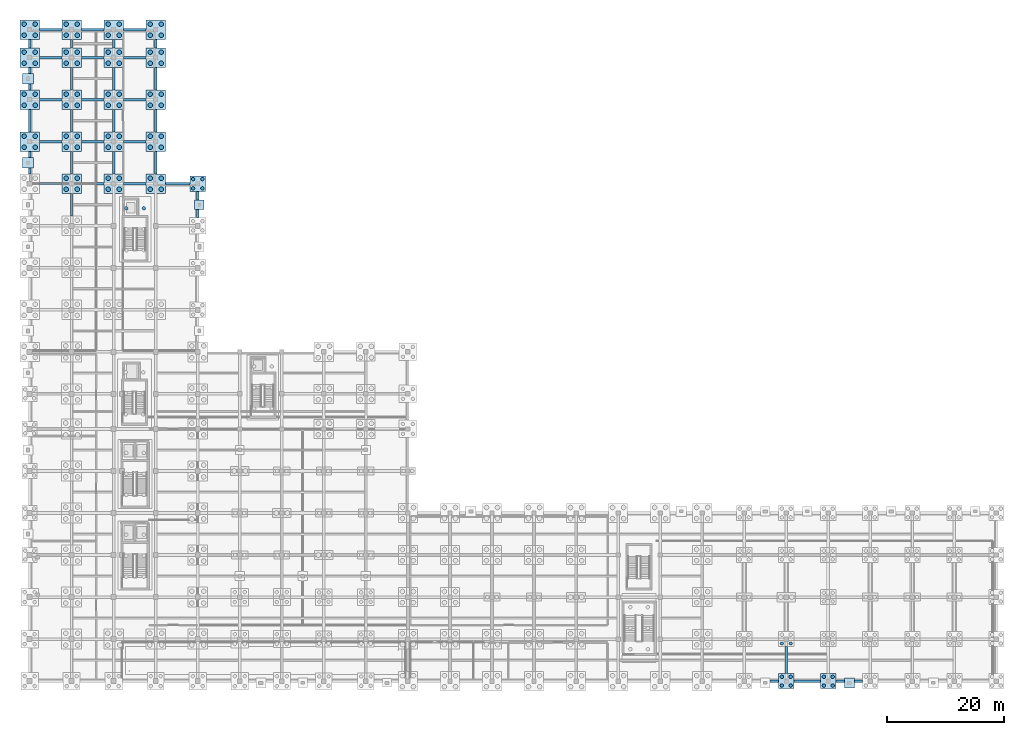
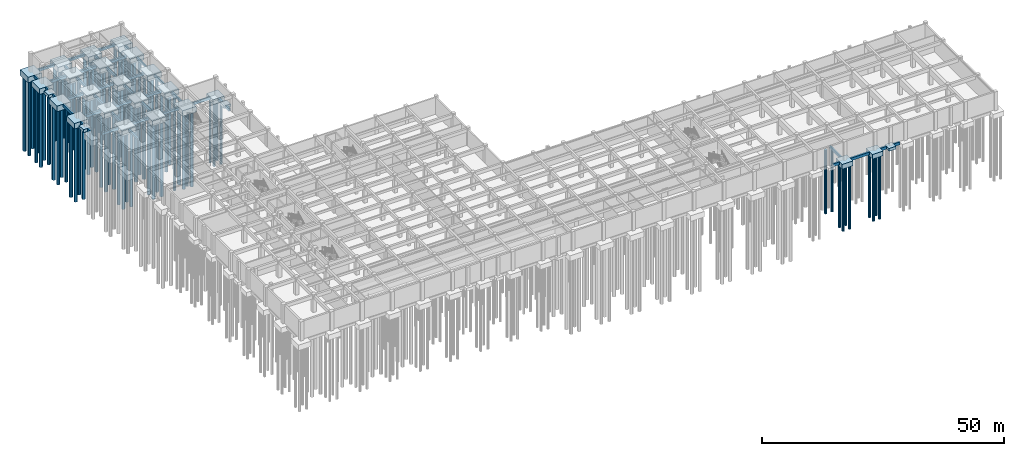
# One storey, part 7 of 28: 92 piles, 68 footings.
"""IFC4 building model written with IfcOpenShell, lengths in metres."""

from ifc_helpers import new_model, si_unit, direction, frame, origin, origin_2d, place, context, subcontext, project, spatial, rectangle, circle, extrude, material, material_profile, profile_set, type_object, element, save


model = new_model("IFC4")

# Units and contexts
model_context = context("Model", 3, precision=1e-05, world=origin(), true_north=direction((0.0, 1.0)))
body_context = subcontext(model_context, "Body", "Model", "MODEL_VIEW")
ifc_project = project(units=[si_unit("LENGTHUNIT", "METRE"), si_unit("AREAUNIT", "SQUARE_METRE"), si_unit("VOLUMEUNIT", "CUBIC_METRE"), si_unit("PLANEANGLEUNIT", "RADIAN"), si_unit("MASSUNIT", "GRAM", prefix="KILO")], contexts=[model_context])

# Site, building, storey
site_placement = place(None, origin())
site = spatial("IfcSite", under=ifc_project, at=site_placement, CompositionType="ELEMENT")
building_placement = place(site_placement, origin())
building = spatial("IfcBuilding", under=site, at=building_placement, Name="Alvorim Cloister Faculty of Sciences", CompositionType="ELEMENT")
storey_placement = place(building_placement, frame((0.0, 0.0, -4.5)))
storey = spatial("IfcBuildingStorey", under=building, at=storey_placement, Name="B01", CompositionType="ELEMENT", Elevation=-4.5)

# Footings
ifc_material_1 = material(Name="Concrete C40", Category="concrete")
footing_type_1 = type_object("IfcFootingType", Name="FT-PAD-1600x1600x700", PredefinedType="PAD_FOOTING", material=ifc_material_1)
footing_1_placement = place(storey_placement, frame((29.080078125, 81.60009765625, -0.97998046875), z_axis=(0.0, 0.0, 1.0), x_axis=(1.0, 0.0, 0.0)))
element("IfcFooting", 1, at=footing_1_placement, inside=storey, type_object=footing_type_1, Name="Buttress Pad Footing FT-0518", PredefinedType="PAD_FOOTING", context=body_context, shape_type="SweptSolid", body=[
    extrude(rectangle(XDim=1.60009765625, YDim=1.60009765625, at=origin_2d()), origin(), (0.0, 0.0, 1.0), 0.699951171875),
])
footing_type_2 = type_object("IfcFootingType", Name="FT-PAD-1700x1700x720", PredefinedType="PAD_FOOTING", material=ifc_material_1)
footing_2_placement = place(storey_placement, frame((140.39990234375, -0.280029296875, -1.0), z_axis=(0.0, 0.0, 1.0), x_axis=(1.0, 0.0, 0.0)))
element("IfcFooting", 2, at=footing_2_placement, inside=storey, type_object=footing_type_2, Name="Buttress Pad Footing FT-0523", PredefinedType="PAD_FOOTING", context=body_context, shape_type="SweptSolid", body=[
    extrude(rectangle(XDim=1.699951171875, YDim=1.699951171875, at=origin_2d()), origin(), (0.0, 0.0, 1.0), 0.719970703125),
])
footing_type_3 = type_object("IfcFootingType", Name="FT-PAD-1800x1800x750", PredefinedType="PAD_FOOTING", material=ifc_material_1)
for number, where, z_axis, x_axis, name in (
    (3, (-0.280029296875, 88.800048828125, -1.030029296875), (0.0, 0.0, 1.0), (1.0, 0.0, 0.0), "Buttress Pad Footing FT-0514"),
    (4, (-0.280029296875, 103.199951171875, -1.030029296875), (0.0, 0.0, 1.0), (1.0, 0.0, 0.0), "Buttress Pad Footing FT-0515"),
):
    element("IfcFooting", number, at=place(storey_placement, frame(where, z_axis=z_axis, x_axis=x_axis)), inside=storey, type_object=footing_type_3, Name=name, PredefinedType="PAD_FOOTING", context=body_context, shape_type="SweptSolid", body=[
        extrude(rectangle(XDim=1.800048828125, YDim=1.800048828125, at=origin_2d()), origin(), (0.0, 0.0, 1.0), 0.75),
    ])
footing_type_4 = type_object("IfcFootingType", Name="FT-PC-2600x2600x1200", PredefinedType="PILE_CAP", material=ifc_material_1)
for number, where, z_axis, x_axis, name in (
    (5, (129.60009765625, 0.0, -1.47998046875), (0.0, 0.0, 1.0), (1.0, 0.0, 0.0), "B01 Pile Cap FT-0170"),
    (6, (136.800048828125, 0.0, -1.47998046875), (0.0, 0.0, 1.0), (1.0, 0.0, 0.0), "B01 Pile Cap FT-0175"),
):
    element("IfcFooting", number, at=place(storey_placement, frame(where, z_axis=z_axis, x_axis=x_axis)), inside=storey, type_object=footing_type_4, Name=name, PredefinedType="PILE_CAP", context=body_context, shape_type="SweptSolid", body=[
        extrude(rectangle(XDim=2.60009765625, YDim=2.60009765625, at=origin_2d()), origin(), (0.0, 0.0, 1.0), 1.199951171875),
    ])
footing_type_5 = type_object("IfcFootingType", Name="FT-PC-2700x2700x1220", PredefinedType="PILE_CAP", material=ifc_material_1)
footing_3_placement = place(storey_placement, frame((28.800048828125, 85.199951171875, -1.5), z_axis=(0.0, 0.0, 1.0), x_axis=(1.0, 0.0, 0.0)))
element("IfcFooting", 7, at=footing_3_placement, inside=storey, type_object=footing_type_5, Name="B01 Pile Cap FT-0084", PredefinedType="PILE_CAP", context=body_context, shape_type="SweptSolid", body=[
    extrude(rectangle(XDim=2.699951171875, YDim=2.699951171875, at=origin_2d()), origin(), (0.0, 0.0, 1.0), 1.219970703125),
])
footing_type_6 = type_object("IfcFootingType", Name="FT-PC-3300x3300x1400", PredefinedType="PILE_CAP", material=ifc_material_1)
for number, where, z_axis, x_axis, name in (
    (8, (0.0, 92.39990234375, -1.679931640625), (0.0, 0.0, 1.0), (1.0, 0.0, 0.0), "B01 Pile Cap FT-0014"),
    (9, (0.0, 99.60009765625, -1.679931640625), (0.0, 0.0, 1.0), (1.0, 0.0, 0.0), "B01 Pile Cap FT-0015"),
    (10, (0.0, 106.800048828125, -1.679931640625), (0.0, 0.0, 1.0), (1.0, 0.0, 0.0), "B01 Pile Cap FT-0016"),
    (11, (0.0, 111.60009765625, -1.679931640625), (0.0, 0.0, 1.0), (1.0, 0.0, 0.0), "B01 Pile Cap FT-0017"),
    (12, (7.199951171875, 85.199951171875, -1.679931640625), (0.0, 0.0, 1.0), (1.0, 0.0, 0.0), "B01 Pile Cap FT-0030"),
    (13, (7.199951171875, 92.39990234375, -1.679931640625), (0.0, 0.0, 1.0), (1.0, 0.0, 0.0), "B01 Pile Cap FT-0031"),
    (14, (7.199951171875, 99.60009765625, -1.679931640625), (0.0, 0.0, 1.0), (1.0, 0.0, 0.0), "B01 Pile Cap FT-0032"),
    (15, (7.199951171875, 106.800048828125, -1.679931640625), (0.0, 0.0, 1.0), (1.0, 0.0, 0.0), "B01 Pile Cap FT-0033"),
    (16, (7.199951171875, 111.60009765625, -1.679931640625), (0.0, 0.0, 1.0), (1.0, 0.0, 0.0), "B01 Pile Cap FT-0034"),
    (17, (14.39990234375, 85.199951171875, -1.679931640625), (0.0, 0.0, 1.0), (1.0, 0.0, 0.0), "B01 Pile Cap FT-0047"),
    (18, (14.39990234375, 92.39990234375, -1.679931640625), (0.0, 0.0, 1.0), (1.0, 0.0, 0.0), "B01 Pile Cap FT-0048"),
    (19, (14.39990234375, 99.60009765625, -1.679931640625), (0.0, 0.0, 1.0), (1.0, 0.0, 0.0), "B01 Pile Cap FT-0049"),
    (20, (14.39990234375, 106.800048828125, -1.679931640625), (0.0, 0.0, 1.0), (1.0, 0.0, 0.0), "B01 Pile Cap FT-0050"),
    (21, (14.39990234375, 111.60009765625, -1.679931640625), (0.0, 0.0, 1.0), (1.0, 0.0, 0.0), "B01 Pile Cap FT-0051"),
    (22, (21.60009765625, 85.199951171875, -1.679931640625), (0.0, 0.0, 1.0), (1.0, 0.0, 0.0), "B01 Pile Cap FT-0067"),
    (23, (21.60009765625, 92.39990234375, -1.679931640625), (0.0, 0.0, 1.0), (1.0, 0.0, 0.0), "B01 Pile Cap FT-0068"),
    (24, (21.60009765625, 99.60009765625, -1.679931640625), (0.0, 0.0, 1.0), (1.0, 0.0, 0.0), "B01 Pile Cap FT-0069"),
    (25, (21.60009765625, 106.800048828125, -1.679931640625), (0.0, 0.0, 1.0), (1.0, 0.0, 0.0), "B01 Pile Cap FT-0070"),
    (26, (21.60009765625, 111.60009765625, -1.679931640625), (0.0, 0.0, 1.0), (1.0, 0.0, 0.0), "B01 Pile Cap FT-0071"),
):
    element("IfcFooting", number, at=place(storey_placement, frame(where, z_axis=z_axis, x_axis=x_axis)), inside=storey, type_object=footing_type_6, Name=name, PredefinedType="PILE_CAP", context=body_context, shape_type="SweptSolid", body=[
        extrude(rectangle(XDim=3.300048828125, YDim=3.300048828125, at=origin_2d()), origin(), (0.0, 0.0, 1.0), 1.39990234375),
    ])
footing_type_7 = type_object("IfcFootingType", Name="FT-TB-350x600", PredefinedType="FOOTING_BEAM", material=ifc_material_1)
for number, where, z_axis, x_axis, name in (
    (27, (7.199951171875, 81.60009765625, -0.880126953125), (0.0, 0.0, 1.0), (1.0, 0.0, 0.0), "Ground Tie Beam FT-0262"),
    (28, (7.199951171875, 88.800048828125, -0.880126953125), (0.0, 0.0, 1.0), (1.0, 0.0, 0.0), "Ground Tie Beam FT-0263"),
    (29, (7.199951171875, 96.0, -0.880126953125), (0.0, 0.0, 1.0), (1.0, 0.0, 0.0), "Ground Tie Beam FT-0265"),
    (30, (7.199951171875, 103.199951171875, -0.880126953125), (0.0, 0.0, 1.0), (1.0, 0.0, 0.0), "Ground Tie Beam FT-0267"),
):
    element("IfcFooting", number, at=place(storey_placement, frame(where, z_axis=z_axis, x_axis=x_axis)), inside=storey, type_object=footing_type_7, Name=name, PredefinedType="FOOTING_BEAM", context=body_context, shape_type="SweptSolid", body=[
        extrude(rectangle(XDim=0.35009765625, YDim=3.89990234375, at=origin_2d()), origin(), (0.0, 0.0, 1.0), 0.60009765625),
    ])
footing_4_placement = place(storey_placement, frame((7.199951171875, 109.199951171875, -0.880126953125), z_axis=(0.0, 0.0, 1.0), x_axis=(1.0, 0.0, 0.0)))
element("IfcFooting", 31, at=footing_4_placement, inside=storey, type_object=footing_type_7, Name="Ground Tie Beam FT-0269", PredefinedType="FOOTING_BEAM", context=body_context, shape_type="SweptSolid", body=[
    extrude(rectangle(XDim=0.35009765625, YDim=1.5, at=origin_2d()), origin(), (0.0, 0.0, 1.0), 0.60009765625),
])
for number, where, z_axis, x_axis, name in (
    (32, (21.60009765625, 88.800048828125, -0.880126953125), (0.0, 0.0, 1.0), (1.0, 0.0, 0.0), "Ground Tie Beam FT-0289"),
    (33, (21.60009765625, 96.0, -0.880126953125), (0.0, 0.0, 1.0), (1.0, 0.0, 0.0), "Ground Tie Beam FT-0291"),
    (34, (21.60009765625, 103.199951171875, -0.880126953125), (0.0, 0.0, 1.0), (1.0, 0.0, 0.0), "Ground Tie Beam FT-0292"),
):
    element("IfcFooting", number, at=place(storey_placement, frame(where, z_axis=z_axis, x_axis=x_axis)), inside=storey, type_object=footing_type_7, Name=name, PredefinedType="FOOTING_BEAM", context=body_context, shape_type="SweptSolid", body=[
        extrude(rectangle(XDim=0.35009765625, YDim=3.89990234375, at=origin_2d()), origin(), (0.0, 0.0, 1.0), 0.60009765625),
    ])
footing_5_placement = place(storey_placement, frame((21.60009765625, 109.199951171875, -0.880126953125), z_axis=(0.0, 0.0, 1.0), x_axis=(1.0, 0.0, 0.0)))
element("IfcFooting", 35, at=footing_5_placement, inside=storey, type_object=footing_type_7, Name="Ground Tie Beam FT-0293", PredefinedType="FOOTING_BEAM", context=body_context, shape_type="SweptSolid", body=[
    extrude(rectangle(XDim=0.35009765625, YDim=1.5, at=origin_2d()), origin(), (0.0, 0.0, 1.0), 0.60009765625),
])
footing_6_placement = place(storey_placement, frame((129.60009765625, 3.60009765625, -0.880126953125), z_axis=(0.0, 0.0, 1.0), x_axis=(1.0, 0.0, 0.0)))
element("IfcFooting", 36, at=footing_6_placement, inside=storey, type_object=footing_type_7, Name="Ground Tie Beam FT-0449", PredefinedType="FOOTING_BEAM", context=body_context, shape_type="SweptSolid", body=[
    extrude(rectangle(XDim=0.35009765625, YDim=4.60009765625, at=origin_2d()), origin(), (0.0, 0.0, 1.0), 0.60009765625),
])
footing_type_8 = type_object("IfcFootingType", Name="FT-TB-400x650", PredefinedType="FOOTING_BEAM", material=ifc_material_1)
for number, where, z_axis, x_axis, name in (
    (37, (0.0, 87.375, -0.929931640625), (0.0, 0.0, 1.0), (1.0, 0.0, 0.0), "Ground Tie Beam FT-0237"),
    (38, (0.0, 90.22509765625, -0.929931640625), (0.0, 0.0, 1.0), (1.0, 0.0, 0.0), "Ground Tie Beam FT-0238"),
):
    element("IfcFooting", number, at=place(storey_placement, frame(where, z_axis=z_axis, x_axis=x_axis)), inside=storey, type_object=footing_type_8, Name=name, PredefinedType="FOOTING_BEAM", context=body_context, shape_type="SweptSolid", body=[
        extrude(rectangle(XDim=0.39990234375, YDim=1.050048828125, at=origin_2d()), origin(), (0.0, 0.0, 1.0), 0.64990234375),
    ])
footing_7_placement = place(storey_placement, frame((3.60009765625, 85.199951171875, -0.929931640625), z_axis=(0.0, 0.0, 1.0), x_axis=(1.0, 0.0, 0.0)))
element("IfcFooting", 39, at=footing_7_placement, inside=storey, type_object=footing_type_8, Name="Ground Tie Beam FT-0239", PredefinedType="FOOTING_BEAM", context=body_context, shape_type="SweptSolid", body=[
    extrude(rectangle(XDim=3.89990234375, YDim=0.39990234375, at=origin_2d()), origin(), (0.0, 0.0, 1.0), 0.64990234375),
])
footing_8_placement = place(storey_placement, frame((0.0, 96.0, -0.929931640625), z_axis=(0.0, 0.0, 1.0), x_axis=(1.0, 0.0, 0.0)))
element("IfcFooting", 40, at=footing_8_placement, inside=storey, type_object=footing_type_8, Name="Ground Tie Beam FT-0240", PredefinedType="FOOTING_BEAM", context=body_context, shape_type="SweptSolid", body=[
    extrude(rectangle(XDim=0.39990234375, YDim=3.89990234375, at=origin_2d()), origin(), (0.0, 0.0, 1.0), 0.64990234375),
])
for number, where, z_axis, x_axis, name in (
    (41, (0.0, 101.77490234375, -0.929931640625), (0.0, 0.0, 1.0), (1.0, 0.0, 0.0), "Ground Tie Beam FT-0242"),
    (42, (0.0, 104.625, -0.929931640625), (0.0, 0.0, 1.0), (1.0, 0.0, 0.0), "Ground Tie Beam FT-0243"),
):
    element("IfcFooting", number, at=place(storey_placement, frame(where, z_axis=z_axis, x_axis=x_axis)), inside=storey, type_object=footing_type_8, Name=name, PredefinedType="FOOTING_BEAM", context=body_context, shape_type="SweptSolid", body=[
        extrude(rectangle(XDim=0.39990234375, YDim=1.050048828125, at=origin_2d()), origin(), (0.0, 0.0, 1.0), 0.64990234375),
    ])
footing_9_placement = place(storey_placement, frame((3.60009765625, 99.60009765625, -0.929931640625), z_axis=(0.0, 0.0, 1.0), x_axis=(1.0, 0.0, 0.0)))
element("IfcFooting", 43, at=footing_9_placement, inside=storey, type_object=footing_type_8, Name="Ground Tie Beam FT-0244", PredefinedType="FOOTING_BEAM", context=body_context, shape_type="SweptSolid", body=[
    extrude(rectangle(XDim=3.89990234375, YDim=0.39990234375, at=origin_2d()), origin(), (0.0, 0.0, 1.0), 0.64990234375),
])
footing_10_placement = place(storey_placement, frame((0.0, 109.199951171875, -0.929931640625), z_axis=(0.0, 0.0, 1.0), x_axis=(1.0, 0.0, 0.0)))
element("IfcFooting", 44, at=footing_10_placement, inside=storey, type_object=footing_type_8, Name="Ground Tie Beam FT-0245", PredefinedType="FOOTING_BEAM", context=body_context, shape_type="SweptSolid", body=[
    extrude(rectangle(XDim=0.39990234375, YDim=1.5, at=origin_2d()), origin(), (0.0, 0.0, 1.0), 0.64990234375),
])
for number, where, z_axis, x_axis, name in (
    (45, (3.60009765625, 111.60009765625, -0.929931640625), (0.0, 0.0, 1.0), (1.0, 0.0, 0.0), "Ground Tie Beam FT-0247"),
    (46, (10.800048828125, 85.199951171875, -0.929931640625), (0.0, 0.0, 1.0), (1.0, 0.0, 0.0), "Ground Tie Beam FT-0264"),
    (47, (10.800048828125, 99.60009765625, -0.929931640625), (0.0, 0.0, 1.0), (1.0, 0.0, 0.0), "Ground Tie Beam FT-0268"),
    (48, (10.800048828125, 111.60009765625, -0.929931640625), (0.0, 0.0, 1.0), (1.0, 0.0, 0.0), "Ground Tie Beam FT-0271"),
):
    element("IfcFooting", number, at=place(storey_placement, frame(where, z_axis=z_axis, x_axis=x_axis)), inside=storey, type_object=footing_type_8, Name=name, PredefinedType="FOOTING_BEAM", context=body_context, shape_type="SweptSolid", body=[
        extrude(rectangle(XDim=3.89990234375, YDim=0.39990234375, at=origin_2d()), origin(), (0.0, 0.0, 1.0), 0.64990234375),
    ])
footing_11_placement = place(storey_placement, frame((14.39990234375, 88.800048828125, -0.929931640625), z_axis=(0.0, 0.0, 1.0), x_axis=(1.0, 0.0, 0.0)))
element("IfcFooting", 49, at=footing_11_placement, inside=storey, type_object=footing_type_8, Name="Ground Tie Beam FT-0276", PredefinedType="FOOTING_BEAM", context=body_context, shape_type="SweptSolid", body=[
    extrude(rectangle(XDim=0.39990234375, YDim=3.89990234375, at=origin_2d()), origin(), (0.0, 0.0, 1.0), 0.64990234375),
])
footing_12_placement = place(storey_placement, frame((18.0, 85.199951171875, -0.929931640625), z_axis=(0.0, 0.0, 1.0), x_axis=(1.0, 0.0, 0.0)))
element("IfcFooting", 50, at=footing_12_placement, inside=storey, type_object=footing_type_8, Name="Ground Tie Beam FT-0277", PredefinedType="FOOTING_BEAM", context=body_context, shape_type="SweptSolid", body=[
    extrude(rectangle(XDim=3.89990234375, YDim=0.39990234375, at=origin_2d()), origin(), (0.0, 0.0, 1.0), 0.64990234375),
])
for number, where, z_axis, x_axis, name in (
    (51, (14.39990234375, 96.0, -0.929931640625), (0.0, 0.0, 1.0), (1.0, 0.0, 0.0), "Ground Tie Beam FT-0278"),
    (52, (14.39990234375, 103.199951171875, -0.929931640625), (0.0, 0.0, 1.0), (1.0, 0.0, 0.0), "Ground Tie Beam FT-0280"),
):
    element("IfcFooting", number, at=place(storey_placement, frame(where, z_axis=z_axis, x_axis=x_axis)), inside=storey, type_object=footing_type_8, Name=name, PredefinedType="FOOTING_BEAM", context=body_context, shape_type="SweptSolid", body=[
        extrude(rectangle(XDim=0.39990234375, YDim=3.89990234375, at=origin_2d()), origin(), (0.0, 0.0, 1.0), 0.64990234375),
    ])
footing_13_placement = place(storey_placement, frame((18.0, 99.60009765625, -0.929931640625), z_axis=(0.0, 0.0, 1.0), x_axis=(1.0, 0.0, 0.0)))
element("IfcFooting", 53, at=footing_13_placement, inside=storey, type_object=footing_type_8, Name="Ground Tie Beam FT-0281", PredefinedType="FOOTING_BEAM", context=body_context, shape_type="SweptSolid", body=[
    extrude(rectangle(XDim=3.89990234375, YDim=0.39990234375, at=origin_2d()), origin(), (0.0, 0.0, 1.0), 0.64990234375),
])
footing_14_placement = place(storey_placement, frame((14.39990234375, 109.199951171875, -0.929931640625), z_axis=(0.0, 0.0, 1.0), x_axis=(1.0, 0.0, 0.0)))
element("IfcFooting", 54, at=footing_14_placement, inside=storey, type_object=footing_type_8, Name="Ground Tie Beam FT-0282", PredefinedType="FOOTING_BEAM", context=body_context, shape_type="SweptSolid", body=[
    extrude(rectangle(XDim=0.39990234375, YDim=1.5, at=origin_2d()), origin(), (0.0, 0.0, 1.0), 0.64990234375),
])
footing_15_placement = place(storey_placement, frame((18.0, 111.60009765625, -0.929931640625), z_axis=(0.0, 0.0, 1.0), x_axis=(1.0, 0.0, 0.0)))
element("IfcFooting", 55, at=footing_15_placement, inside=storey, type_object=footing_type_8, Name="Ground Tie Beam FT-0284", PredefinedType="FOOTING_BEAM", context=body_context, shape_type="SweptSolid", body=[
    extrude(rectangle(XDim=3.89990234375, YDim=0.39990234375, at=origin_2d()), origin(), (0.0, 0.0, 1.0), 0.64990234375),
])
footing_16_placement = place(storey_placement, frame((25.35009765625, 85.199951171875, -0.929931640625), z_axis=(0.0, 0.0, 1.0), x_axis=(1.0, 0.0, 0.0)))
element("IfcFooting", 56, at=footing_16_placement, inside=storey, type_object=footing_type_8, Name="Ground Tie Beam FT-0290", PredefinedType="FOOTING_BEAM", context=body_context, shape_type="SweptSolid", body=[
    extrude(rectangle(XDim=4.199951171875, YDim=0.39990234375, at=origin_2d()), origin(), (0.0, 0.0, 1.0), 0.64990234375),
])
footing_17_placement = place(storey_placement, frame((28.800048828125, 80.10009765625, -0.929931640625), z_axis=(0.0, 0.0, 1.0), x_axis=(1.0, 0.0, 0.0)))
element("IfcFooting", 57, at=footing_17_placement, inside=storey, type_object=footing_type_8, Name="Ground Tie Beam FT-0313", PredefinedType="FOOTING_BEAM", context=body_context, shape_type="SweptSolid", body=[
    extrude(rectangle(XDim=0.39990234375, YDim=1.39990234375, at=origin_2d()), origin(), (0.0, 0.0, 1.0), 0.64990234375),
])
footing_18_placement = place(storey_placement, frame((28.800048828125, 83.125, -0.929931640625), z_axis=(0.0, 0.0, 1.0), x_axis=(1.0, 0.0, 0.0)))
element("IfcFooting", 58, at=footing_18_placement, inside=storey, type_object=footing_type_8, Name="Ground Tie Beam FT-0314", PredefinedType="FOOTING_BEAM", context=body_context, shape_type="SweptSolid", body=[
    extrude(rectangle(XDim=0.39990234375, YDim=1.449951171875, at=origin_2d()), origin(), (0.0, 0.0, 1.0), 0.64990234375),
])
footing_type_9 = type_object("IfcFootingType", Name="FT-TB-450x700", PredefinedType="FOOTING_BEAM", material=ifc_material_1)
for number, where, z_axis, x_axis, name in (
    (59, (3.60009765625, 92.39990234375, -0.97998046875), (0.0, 0.0, 1.0), (1.0, 0.0, 0.0), "Ground Tie Beam FT-0241"),
    (60, (3.60009765625, 106.800048828125, -0.97998046875), (0.0, 0.0, 1.0), (1.0, 0.0, 0.0), "Ground Tie Beam FT-0246"),
    (61, (10.800048828125, 92.39990234375, -0.97998046875), (0.0, 0.0, 1.0), (1.0, 0.0, 0.0), "Ground Tie Beam FT-0266"),
    (62, (10.800048828125, 106.800048828125, -0.97998046875), (0.0, 0.0, 1.0), (1.0, 0.0, 0.0), "Ground Tie Beam FT-0270"),
    (63, (18.0, 92.39990234375, -0.97998046875), (0.0, 0.0, 1.0), (1.0, 0.0, 0.0), "Ground Tie Beam FT-0279"),
    (64, (18.0, 106.800048828125, -0.97998046875), (0.0, 0.0, 1.0), (1.0, 0.0, 0.0), "Ground Tie Beam FT-0283"),
):
    element("IfcFooting", number, at=place(storey_placement, frame(where, z_axis=z_axis, x_axis=x_axis)), inside=storey, type_object=footing_type_9, Name=name, PredefinedType="FOOTING_BEAM", context=body_context, shape_type="SweptSolid", body=[
        extrude(rectangle(XDim=3.89990234375, YDim=0.449951171875, at=origin_2d()), origin(), (0.0, 0.0, 1.0), 0.699951171875),
    ])
footing_19_placement = place(storey_placement, frame((127.574951171875, 0.0, -0.97998046875), z_axis=(0.0, 0.0, 1.0), x_axis=(1.0, 0.0, 0.0)))
element("IfcFooting", 65, at=footing_19_placement, inside=storey, type_object=footing_type_9, Name="Ground Tie Beam FT-0440", PredefinedType="FOOTING_BEAM", context=body_context, shape_type="SweptSolid", body=[
    extrude(rectangle(XDim=1.449951171875, YDim=0.449951171875, at=origin_2d()), origin(), (0.0, 0.0, 1.0), 0.699951171875),
])
footing_20_placement = place(storey_placement, frame((133.199951171875, 0.0, -0.97998046875), z_axis=(0.0, 0.0, 1.0), x_axis=(1.0, 0.0, 0.0)))
element("IfcFooting", 66, at=footing_20_placement, inside=storey, type_object=footing_type_9, Name="Ground Tie Beam FT-0450", PredefinedType="FOOTING_BEAM", context=body_context, shape_type="SweptSolid", body=[
    extrude(rectangle(XDim=4.60009765625, YDim=0.449951171875, at=origin_2d()), origin(), (0.0, 0.0, 1.0), 0.699951171875),
])
for number, where, z_axis, x_axis, name in (
    (67, (138.824951171875, 0.0, -0.97998046875), (0.0, 0.0, 1.0), (1.0, 0.0, 0.0), "Ground Tie Beam FT-0460"),
    (68, (141.97509765625, 0.0, -0.97998046875), (0.0, 0.0, 1.0), (1.0, 0.0, 0.0), "Ground Tie Beam FT-0461"),
):
    element("IfcFooting", number, at=place(storey_placement, frame(where, z_axis=z_axis, x_axis=x_axis)), inside=storey, type_object=footing_type_9, Name=name, PredefinedType="FOOTING_BEAM", context=body_context, shape_type="SweptSolid", body=[
        extrude(rectangle(XDim=1.449951171875, YDim=0.449951171875, at=origin_2d()), origin(), (0.0, 0.0, 1.0), 0.699951171875),
    ])

# Piles
ifc_material_2 = material(Name="Concrete C30", Category="concrete")
ifc_material_profile_1 = material_profile(ifc_material_2, circle(Radius=0.300048828125, at=origin_2d()), Name="PILE-D600")
ifc_profile_set_1 = profile_set([ifc_material_profile_1], Name="Concrete C30")
pile_type_1 = type_object("IfcPileType", Name="PL-BORED-D600", PredefinedType="BORED", material=ifc_profile_set_1)
for number, where, z_axis, x_axis, name in (
    (69, (28.0, 84.39990234375, -1.39990234375), (0.0, 0.0, -1.0), (1.0, 0.0, 0.0), "Bored Pile PL-0333"),
    (70, (29.60009765625, 84.39990234375, -1.39990234375), (0.0, 0.0, -1.0), (1.0, 0.0, 0.0), "Bored Pile PL-0334"),
    (71, (28.0, 86.0, -1.39990234375), (0.0, 0.0, -1.0), (1.0, 0.0, 0.0), "Bored Pile PL-0335"),
    (72, (29.60009765625, 86.0, -1.39990234375), (0.0, 0.0, -1.0), (1.0, 0.0, 0.0), "Bored Pile PL-0336"),
):
    element("IfcPile", number, at=place(storey_placement, frame(where, z_axis=z_axis, x_axis=x_axis)), inside=storey, type_object=pile_type_1, Name=name, PredefinedType="BORED", context=body_context, shape_type="SweptSolid", body=[
        extrude(circle(Radius=0.300048828125, at=origin_2d()), origin(), (0.0, 0.0, 1.0), 16.10009765625),
    ])
for number, where, z_axis, x_axis, name in (
    (73, (128.85009765625, -0.75, -1.3798828125), (0.0, 0.0, -1.0), (1.0, 0.0, 0.0), "Bored Pile PL-0641"),
    (74, (130.35009765625, -0.75, -1.3798828125), (0.0, 0.0, -1.0), (1.0, 0.0, 0.0), "Bored Pile PL-0642"),
    (75, (128.85009765625, 0.75, -1.3798828125), (0.0, 0.0, -1.0), (1.0, 0.0, 0.0), "Bored Pile PL-0643"),
    (76, (130.35009765625, 0.75, -1.3798828125), (0.0, 0.0, -1.0), (1.0, 0.0, 0.0), "Bored Pile PL-0644"),
    (77, (128.85009765625, 6.449951171875, -1.3798828125), (0.0, 0.0, -1.0), (1.0, 0.0, 0.0), "Bored Pile PL-0645"),
    (78, (130.35009765625, 6.449951171875, -1.3798828125), (0.0, 0.0, -1.0), (1.0, 0.0, 0.0), "Bored Pile PL-0646"),
    (79, (136.050048828125, -0.75, -1.3798828125), (0.0, 0.0, -1.0), (1.0, 0.0, 0.0), "Bored Pile PL-0659"),
    (80, (137.550048828125, -0.75, -1.3798828125), (0.0, 0.0, -1.0), (1.0, 0.0, 0.0), "Bored Pile PL-0660"),
    (81, (136.050048828125, 0.75, -1.3798828125), (0.0, 0.0, -1.0), (1.0, 0.0, 0.0), "Bored Pile PL-0661"),
    (82, (137.550048828125, 0.75, -1.3798828125), (0.0, 0.0, -1.0), (1.0, 0.0, 0.0), "Bored Pile PL-0662"),
):
    element("IfcPile", number, at=place(storey_placement, frame(where, z_axis=z_axis, x_axis=x_axis)), inside=storey, type_object=pile_type_1, Name=name, PredefinedType="BORED", context=body_context, shape_type="SweptSolid", body=[
        extrude(circle(Radius=0.300048828125, at=origin_2d()), origin(), (0.0, 0.0, 1.0), 16.1201171875),
    ])
for number, where, z_axis, x_axis, name in (
    (83, (16.56005859375, 81.0, -1.64990234375), (0.0, 0.0, -1.0), (1.0, 0.0, 0.0), "Bored Pile PL-0781"),
    (84, (19.56005859375, 81.0, -1.64990234375), (0.0, 0.0, -1.0), (1.0, 0.0, 0.0), "Bored Pile PL-0782"),
):
    element("IfcPile", number, at=place(storey_placement, frame(where, z_axis=z_axis, x_axis=x_axis)), inside=storey, type_object=pile_type_1, Name=name, PredefinedType="BORED", context=body_context, shape_type="SweptSolid", body=[
        extrude(circle(Radius=0.300048828125, at=origin_2d()), origin(), (0.0, 0.0, 1.0), 15.85009765625),
    ])
ifc_material_profile_2 = material_profile(ifc_material_2, circle(Radius=0.39990234375, at=origin_2d()), Name="PILE-D800")
ifc_profile_set_2 = profile_set([ifc_material_profile_2], Name="Concrete C30")
pile_type_2 = type_object("IfcPileType", Name="PL-BORED-D800", PredefinedType="BORED", material=ifc_profile_set_2)
for number, where, z_axis, x_axis, name in (
    (85, (-0.949951171875, 91.449951171875, -1.580078125), (0.0, 0.0, -1.0), (1.0, 0.0, 0.0), "Bored Pile PL-0053"),
    (86, (0.949951171875, 91.449951171875, -1.580078125), (0.0, 0.0, -1.0), (1.0, 0.0, 0.0), "Bored Pile PL-0054"),
    (87, (-0.949951171875, 93.35009765625, -1.580078125), (0.0, 0.0, -1.0), (1.0, 0.0, 0.0), "Bored Pile PL-0055"),
    (88, (0.949951171875, 93.35009765625, -1.580078125), (0.0, 0.0, -1.0), (1.0, 0.0, 0.0), "Bored Pile PL-0056"),
    (89, (-0.949951171875, 98.64990234375, -1.580078125), (0.0, 0.0, -1.0), (1.0, 0.0, 0.0), "Bored Pile PL-0057"),
    (90, (0.949951171875, 98.64990234375, -1.580078125), (0.0, 0.0, -1.0), (1.0, 0.0, 0.0), "Bored Pile PL-0058"),
    (91, (-0.949951171875, 100.550048828125, -1.580078125), (0.0, 0.0, -1.0), (1.0, 0.0, 0.0), "Bored Pile PL-0059"),
    (92, (0.949951171875, 100.550048828125, -1.580078125), (0.0, 0.0, -1.0), (1.0, 0.0, 0.0), "Bored Pile PL-0060"),
    (93, (-0.949951171875, 105.85009765625, -1.580078125), (0.0, 0.0, -1.0), (1.0, 0.0, 0.0), "Bored Pile PL-0061"),
    (94, (0.949951171875, 105.85009765625, -1.580078125), (0.0, 0.0, -1.0), (1.0, 0.0, 0.0), "Bored Pile PL-0062"),
    (95, (-0.949951171875, 107.75, -1.580078125), (0.0, 0.0, -1.0), (1.0, 0.0, 0.0), "Bored Pile PL-0063"),
    (96, (0.949951171875, 107.75, -1.580078125), (0.0, 0.0, -1.0), (1.0, 0.0, 0.0), "Bored Pile PL-0064"),
    (97, (-0.949951171875, 110.64990234375, -1.580078125), (0.0, 0.0, -1.0), (1.0, 0.0, 0.0), "Bored Pile PL-0065"),
    (98, (0.949951171875, 110.64990234375, -1.580078125), (0.0, 0.0, -1.0), (1.0, 0.0, 0.0), "Bored Pile PL-0066"),
    (99, (-0.949951171875, 112.550048828125, -1.580078125), (0.0, 0.0, -1.0), (1.0, 0.0, 0.0), "Bored Pile PL-0067"),
    (100, (0.949951171875, 112.550048828125, -1.580078125), (0.0, 0.0, -1.0), (1.0, 0.0, 0.0), "Bored Pile PL-0068"),
    (101, (6.25, 84.25, -1.580078125), (0.0, 0.0, -1.0), (1.0, 0.0, 0.0), "Bored Pile PL-0117"),
    (102, (8.14990234375, 84.25, -1.580078125), (0.0, 0.0, -1.0), (1.0, 0.0, 0.0), "Bored Pile PL-0118"),
    (103, (6.25, 86.14990234375, -1.580078125), (0.0, 0.0, -1.0), (1.0, 0.0, 0.0), "Bored Pile PL-0119"),
    (104, (8.14990234375, 86.14990234375, -1.580078125), (0.0, 0.0, -1.0), (1.0, 0.0, 0.0), "Bored Pile PL-0120"),
    (105, (6.25, 91.449951171875, -1.580078125), (0.0, 0.0, -1.0), (1.0, 0.0, 0.0), "Bored Pile PL-0121"),
    (106, (8.14990234375, 91.449951171875, -1.580078125), (0.0, 0.0, -1.0), (1.0, 0.0, 0.0), "Bored Pile PL-0122"),
    (107, (6.25, 93.35009765625, -1.580078125), (0.0, 0.0, -1.0), (1.0, 0.0, 0.0), "Bored Pile PL-0123"),
    (108, (8.14990234375, 93.35009765625, -1.580078125), (0.0, 0.0, -1.0), (1.0, 0.0, 0.0), "Bored Pile PL-0124"),
    (109, (6.25, 98.64990234375, -1.580078125), (0.0, 0.0, -1.0), (1.0, 0.0, 0.0), "Bored Pile PL-0125"),
    (110, (8.14990234375, 98.64990234375, -1.580078125), (0.0, 0.0, -1.0), (1.0, 0.0, 0.0), "Bored Pile PL-0126"),
    (111, (6.25, 100.550048828125, -1.580078125), (0.0, 0.0, -1.0), (1.0, 0.0, 0.0), "Bored Pile PL-0127"),
    (112, (8.14990234375, 100.550048828125, -1.580078125), (0.0, 0.0, -1.0), (1.0, 0.0, 0.0), "Bored Pile PL-0128"),
    (113, (6.25, 105.85009765625, -1.580078125), (0.0, 0.0, -1.0), (1.0, 0.0, 0.0), "Bored Pile PL-0129"),
    (114, (8.14990234375, 105.85009765625, -1.580078125), (0.0, 0.0, -1.0), (1.0, 0.0, 0.0), "Bored Pile PL-0130"),
    (115, (6.25, 107.75, -1.580078125), (0.0, 0.0, -1.0), (1.0, 0.0, 0.0), "Bored Pile PL-0131"),
    (116, (8.14990234375, 107.75, -1.580078125), (0.0, 0.0, -1.0), (1.0, 0.0, 0.0), "Bored Pile PL-0132"),
    (117, (6.25, 110.64990234375, -1.580078125), (0.0, 0.0, -1.0), (1.0, 0.0, 0.0), "Bored Pile PL-0133"),
    (118, (8.14990234375, 110.64990234375, -1.580078125), (0.0, 0.0, -1.0), (1.0, 0.0, 0.0), "Bored Pile PL-0134"),
    (119, (6.25, 112.550048828125, -1.580078125), (0.0, 0.0, -1.0), (1.0, 0.0, 0.0), "Bored Pile PL-0135"),
    (120, (8.14990234375, 112.550048828125, -1.580078125), (0.0, 0.0, -1.0), (1.0, 0.0, 0.0), "Bored Pile PL-0136"),
    (121, (13.449951171875, 84.25, -1.580078125), (0.0, 0.0, -1.0), (1.0, 0.0, 0.0), "Bored Pile PL-0185"),
    (122, (15.35009765625, 84.25, -1.580078125), (0.0, 0.0, -1.0), (1.0, 0.0, 0.0), "Bored Pile PL-0186"),
    (123, (13.449951171875, 86.14990234375, -1.580078125), (0.0, 0.0, -1.0), (1.0, 0.0, 0.0), "Bored Pile PL-0187"),
    (124, (15.35009765625, 86.14990234375, -1.580078125), (0.0, 0.0, -1.0), (1.0, 0.0, 0.0), "Bored Pile PL-0188"),
    (125, (13.449951171875, 91.449951171875, -1.580078125), (0.0, 0.0, -1.0), (1.0, 0.0, 0.0), "Bored Pile PL-0189"),
    (126, (15.35009765625, 91.449951171875, -1.580078125), (0.0, 0.0, -1.0), (1.0, 0.0, 0.0), "Bored Pile PL-0190"),
    (127, (13.449951171875, 93.35009765625, -1.580078125), (0.0, 0.0, -1.0), (1.0, 0.0, 0.0), "Bored Pile PL-0191"),
    (128, (15.35009765625, 93.35009765625, -1.580078125), (0.0, 0.0, -1.0), (1.0, 0.0, 0.0), "Bored Pile PL-0192"),
    (129, (13.449951171875, 98.64990234375, -1.580078125), (0.0, 0.0, -1.0), (1.0, 0.0, 0.0), "Bored Pile PL-0193"),
    (130, (15.35009765625, 98.64990234375, -1.580078125), (0.0, 0.0, -1.0), (1.0, 0.0, 0.0), "Bored Pile PL-0194"),
    (131, (13.449951171875, 100.550048828125, -1.580078125), (0.0, 0.0, -1.0), (1.0, 0.0, 0.0), "Bored Pile PL-0195"),
    (132, (15.35009765625, 100.550048828125, -1.580078125), (0.0, 0.0, -1.0), (1.0, 0.0, 0.0), "Bored Pile PL-0196"),
    (133, (13.449951171875, 105.85009765625, -1.580078125), (0.0, 0.0, -1.0), (1.0, 0.0, 0.0), "Bored Pile PL-0197"),
    (134, (15.35009765625, 105.85009765625, -1.580078125), (0.0, 0.0, -1.0), (1.0, 0.0, 0.0), "Bored Pile PL-0198"),
    (135, (13.449951171875, 107.75, -1.580078125), (0.0, 0.0, -1.0), (1.0, 0.0, 0.0), "Bored Pile PL-0199"),
    (136, (15.35009765625, 107.75, -1.580078125), (0.0, 0.0, -1.0), (1.0, 0.0, 0.0), "Bored Pile PL-0200"),
    (137, (13.449951171875, 110.64990234375, -1.580078125), (0.0, 0.0, -1.0), (1.0, 0.0, 0.0), "Bored Pile PL-0201"),
    (138, (15.35009765625, 110.64990234375, -1.580078125), (0.0, 0.0, -1.0), (1.0, 0.0, 0.0), "Bored Pile PL-0202"),
    (139, (13.449951171875, 112.550048828125, -1.580078125), (0.0, 0.0, -1.0), (1.0, 0.0, 0.0), "Bored Pile PL-0203"),
    (140, (15.35009765625, 112.550048828125, -1.580078125), (0.0, 0.0, -1.0), (1.0, 0.0, 0.0), "Bored Pile PL-0204"),
    (141, (20.64990234375, 84.25, -1.580078125), (0.0, 0.0, -1.0), (1.0, 0.0, 0.0), "Bored Pile PL-0265"),
    (142, (22.550048828125, 84.25, -1.580078125), (0.0, 0.0, -1.0), (1.0, 0.0, 0.0), "Bored Pile PL-0266"),
    (143, (20.64990234375, 86.14990234375, -1.580078125), (0.0, 0.0, -1.0), (1.0, 0.0, 0.0), "Bored Pile PL-0267"),
    (144, (22.550048828125, 86.14990234375, -1.580078125), (0.0, 0.0, -1.0), (1.0, 0.0, 0.0), "Bored Pile PL-0268"),
    (145, (20.64990234375, 91.449951171875, -1.580078125), (0.0, 0.0, -1.0), (1.0, 0.0, 0.0), "Bored Pile PL-0269"),
    (146, (22.550048828125, 91.449951171875, -1.580078125), (0.0, 0.0, -1.0), (1.0, 0.0, 0.0), "Bored Pile PL-0270"),
    (147, (20.64990234375, 93.35009765625, -1.580078125), (0.0, 0.0, -1.0), (1.0, 0.0, 0.0), "Bored Pile PL-0271"),
    (148, (22.550048828125, 93.35009765625, -1.580078125), (0.0, 0.0, -1.0), (1.0, 0.0, 0.0), "Bored Pile PL-0272"),
    (149, (20.64990234375, 98.64990234375, -1.580078125), (0.0, 0.0, -1.0), (1.0, 0.0, 0.0), "Bored Pile PL-0273"),
    (150, (22.550048828125, 98.64990234375, -1.580078125), (0.0, 0.0, -1.0), (1.0, 0.0, 0.0), "Bored Pile PL-0274"),
    (151, (20.64990234375, 100.550048828125, -1.580078125), (0.0, 0.0, -1.0), (1.0, 0.0, 0.0), "Bored Pile PL-0275"),
    (152, (22.550048828125, 100.550048828125, -1.580078125), (0.0, 0.0, -1.0), (1.0, 0.0, 0.0), "Bored Pile PL-0276"),
    (153, (20.64990234375, 105.85009765625, -1.580078125), (0.0, 0.0, -1.0), (1.0, 0.0, 0.0), "Bored Pile PL-0277"),
    (154, (22.550048828125, 105.85009765625, -1.580078125), (0.0, 0.0, -1.0), (1.0, 0.0, 0.0), "Bored Pile PL-0278"),
    (155, (20.64990234375, 107.75, -1.580078125), (0.0, 0.0, -1.0), (1.0, 0.0, 0.0), "Bored Pile PL-0279"),
    (156, (22.550048828125, 107.75, -1.580078125), (0.0, 0.0, -1.0), (1.0, 0.0, 0.0), "Bored Pile PL-0280"),
    (157, (20.64990234375, 110.64990234375, -1.580078125), (0.0, 0.0, -1.0), (1.0, 0.0, 0.0), "Bored Pile PL-0281"),
    (158, (22.550048828125, 110.64990234375, -1.580078125), (0.0, 0.0, -1.0), (1.0, 0.0, 0.0), "Bored Pile PL-0282"),
    (159, (20.64990234375, 112.550048828125, -1.580078125), (0.0, 0.0, -1.0), (1.0, 0.0, 0.0), "Bored Pile PL-0283"),
    (160, (22.550048828125, 112.550048828125, -1.580078125), (0.0, 0.0, -1.0), (1.0, 0.0, 0.0), "Bored Pile PL-0284"),
):
    element("IfcPile", number, at=place(storey_placement, frame(where, z_axis=z_axis, x_axis=x_axis)), inside=storey, type_object=pile_type_2, Name=name, PredefinedType="BORED", context=body_context, shape_type="SweptSolid", body=[
        extrude(circle(Radius=0.39990234375, at=origin_2d()), origin(), (0.0, 0.0, 1.0), 18.919921875),
    ])

save(model, "model.ifc")
